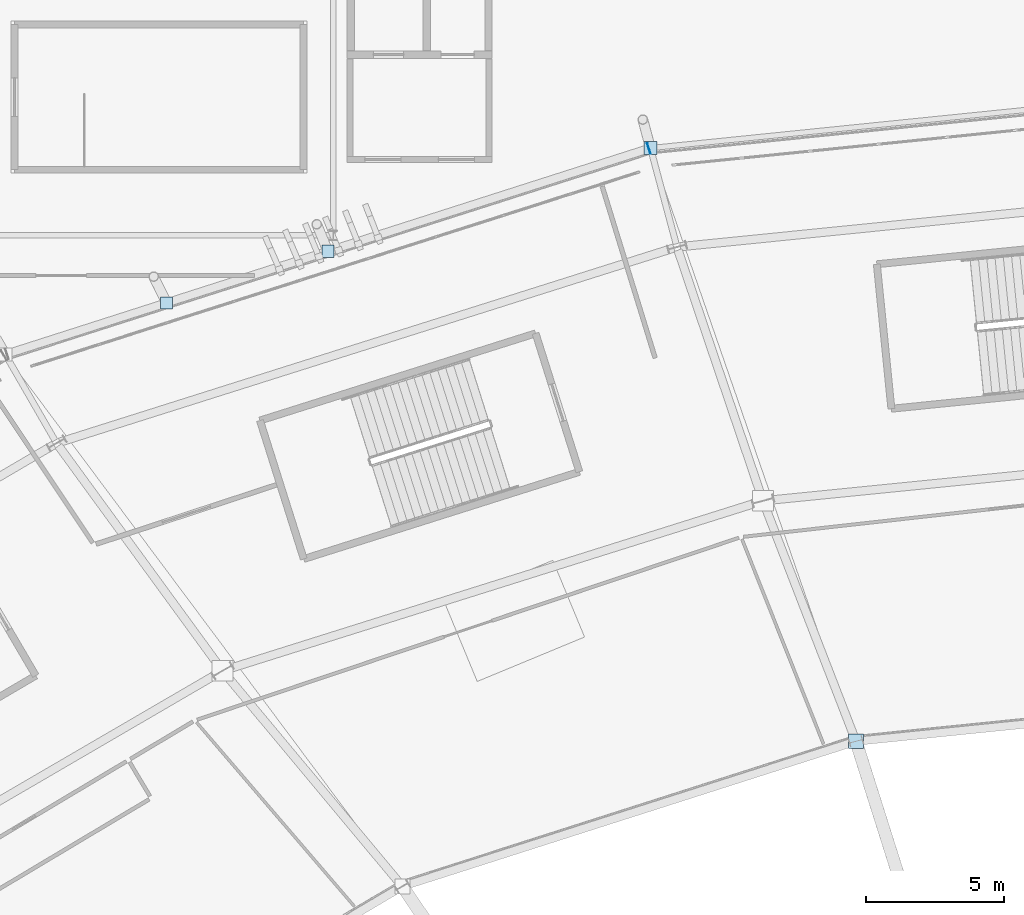
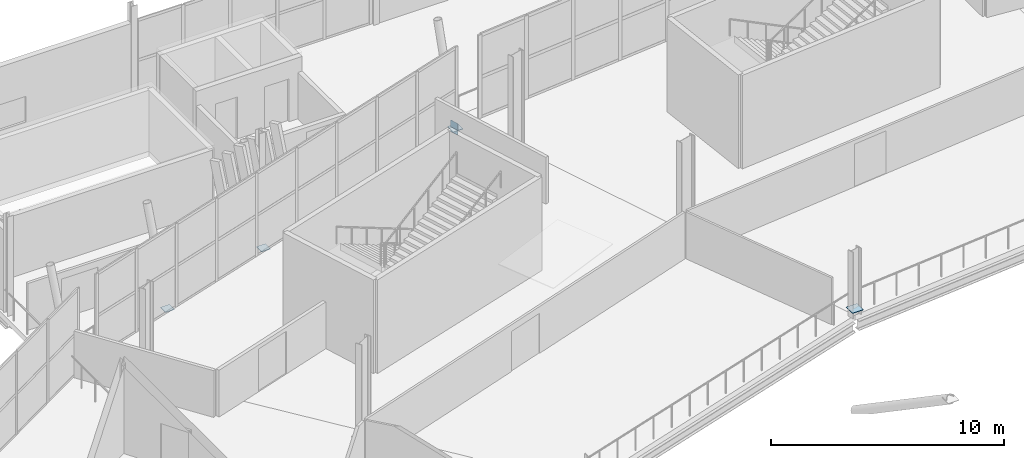
# One storey, part 111 of 168: 5 plates.
"""IFC4 building model written with IfcOpenShell, lengths in metres."""

from ifc_helpers import new_model, si_unit, direction, frame, origin, origin_2d, place, context, subcontext, project, spatial, rectangle, extrude, material, layer, layer_set, type_object, element, save


model = new_model("IFC4")

# Units and contexts
model_context = context("Model", 3, precision=1e-05, world=origin(), true_north=direction((0.0, 1.0)))
body_context = subcontext(model_context, "Body", "Model", "MODEL_VIEW")
ifc_project = project(units=[si_unit("LENGTHUNIT", "METRE"), si_unit("AREAUNIT", "SQUARE_METRE"), si_unit("VOLUMEUNIT", "CUBIC_METRE"), si_unit("PLANEANGLEUNIT", "RADIAN"), si_unit("MASSUNIT", "GRAM", prefix="KILO")], contexts=[model_context])

# Site, building, storey
site_placement = place(None, origin())
site = spatial("IfcSite", under=ifc_project, at=site_placement, CompositionType="ELEMENT")
building_placement = place(site_placement, origin())
building = spatial("IfcBuilding", under=site, at=building_placement, Name="Zlatoyarsky Gate Stadium", CompositionType="ELEMENT")
storey_placement = place(building_placement, frame((0.0, 0.0, 15.60009765625)))
storey = spatial("IfcBuildingStorey", under=building, at=storey_placement, Name="L03", CompositionType="ELEMENT", Elevation=15.60009765625)

# Plates
ifc_material = material(Name="Steel S355", Category="steel")
ifc_layer = layer(ifc_material, 0.02392578125)
ifc_layer_set = layer_set([ifc_layer], Name="Steel S355")
plate_type = type_object("IfcPlateType", Name="STEEL HOLLOW CHORD SPLICE SHEET 24", PredefinedType="SHEET", material=ifc_layer_set)
plate_1_placement = place(storey_placement, frame((85.91455078125, 152.138427734375, -0.830078125), z_axis=(0.0, 0.0, 1.0), x_axis=(-0.952429647301, -0.304758538753, 0.0)))
element("IfcPlate", 1, at=plate_1_placement, inside=storey, type_object=plate_type, Name="Hollow end cap ND-SP1 CAP-L03-SPD-07 A", PredefinedType="SHEET", context=body_context, shape_type="SweptSolid", body=[
    extrude(rectangle(XDim=0.02392578125, YDim=0.39990234375, at=origin_2d()), origin(), (0.0, 0.0, 1.0), 0.60009765625),
])
plate_2_placement = place(storey_placement, frame((85.9716796875, 152.15673828125, -0.592041015625), z_axis=(0.0, 0.0, 1.0), x_axis=(1.0, 0.0, 0.0)))
element("IfcPlate", 2, at=plate_2_placement, inside=storey, type_object=plate_type, Name="Node closure plate ND-SP1 NCAP-L03-RSTR-07", PredefinedType="SHEET", context=body_context, shape_type="SweptSolid", body=[
    extrude(rectangle(XDim=0.47998046875, YDim=0.47998046875, at=origin_2d()), origin(), (0.0, 0.0, 1.0), 0.02392578125),
])
plate_3_placement = place(storey_placement, frame((93.400390625, 130.711181640625, 0.337890625), z_axis=(0.0, 0.0, 1.0), x_axis=(1.0, 0.0, 0.0)))
element("IfcPlate", 3, at=plate_3_placement, inside=storey, type_object=plate_type, Name="Node closure plate ND-SP1 NCAP-UTOPB-07", PredefinedType="SHEET", context=body_context, shape_type="SweptSolid", body=[
    extrude(rectangle(XDim=0.5400390625, YDim=0.5400390625, at=origin_2d()), origin(), (0.0, 0.0, 1.0), 0.02392578125),
])
for number, where, z_axis, x_axis, name in (
    (4, (74.310302734375, 148.42529296875, -0.5419921875), (0.0, 0.0, 1.0), (1.0, 0.0, 0.0), "Node closure plate ND-SP1 NCAP-RIB-07-2-1T"),
    (5, (68.4794921875, 146.559814453125, -0.5419921875), (0.0, 0.0, 1.0), (1.0, 0.0, 0.0), "Node closure plate ND-SP1 NCAP-RIB-07-3-1T"),
):
    element("IfcPlate", number, at=place(storey_placement, frame(where, z_axis=z_axis, x_axis=x_axis)), inside=storey, type_object=plate_type, Name=name, PredefinedType="SHEET", context=body_context, shape_type="SweptSolid", body=[
        extrude(rectangle(XDim=0.43994140625, YDim=0.43994140625, at=origin_2d()), origin(), (0.0, 0.0, 1.0), 0.02392578125),
    ])

save(model, "model.ifc")
